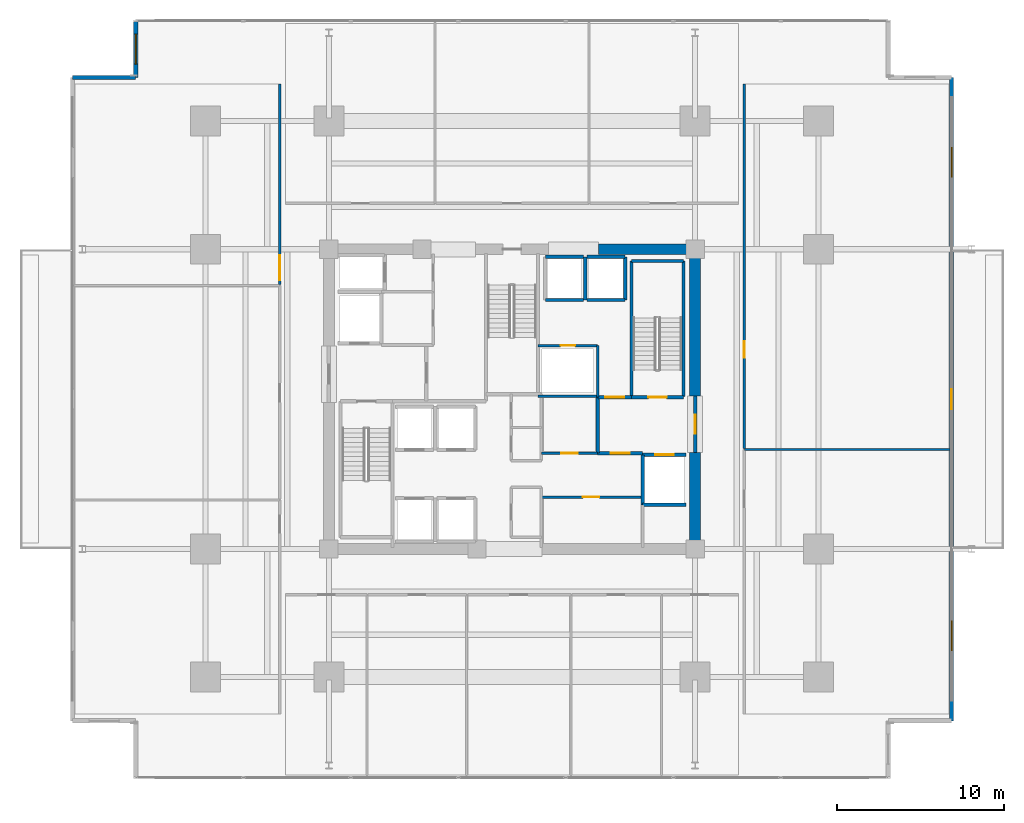
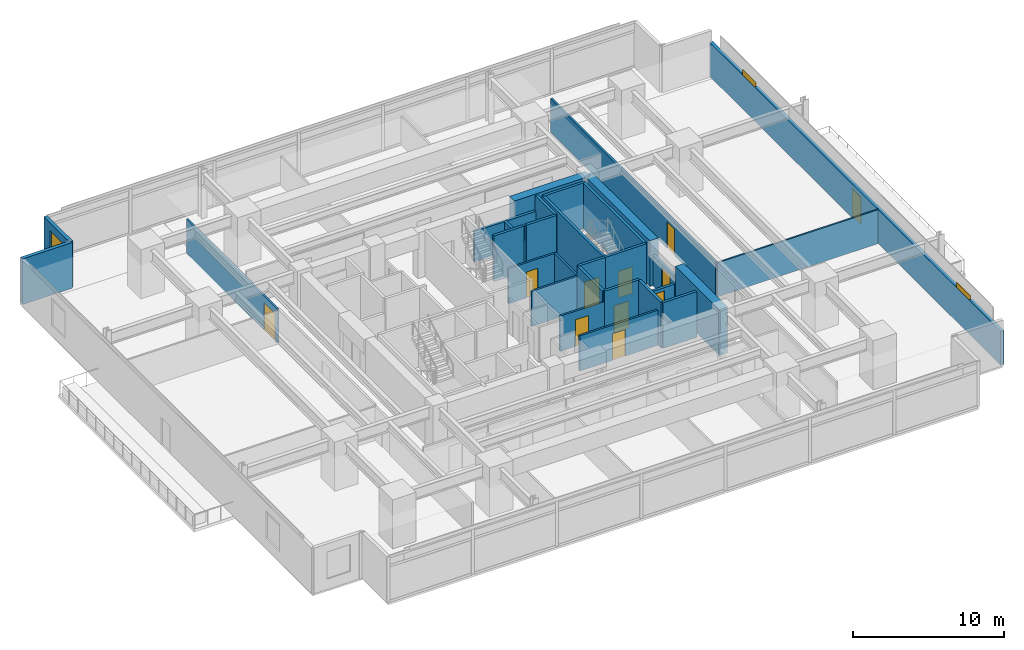
# One storey, part 18 of 23: 31 walls, 11 doors, 3 windows, 14 openings.
"""IFC4 building model written with IfcOpenShell, lengths in metres."""

import ifcopenshell
import ifcopenshell.guid

model = None  # the IFC model being written
_history = None  # IfcOwnerHistory: only IFC2X3 demands one
_inside = {}  # id of a spatial element -> (the spatial element, [elements in it])
_under = {}  # id of a project, library or spatial element -> (it, [spatial elements below it])
_declared = {}  # id of a project -> (the project, [libraries it declares])
_typed = {}  # id of a type object -> (the type object, [elements of that type])
_made_of = {}  # id of a material, layer set ... -> (it, [elements and type objects made of it])


def new_model(schema):
    """Start an empty IFC model of exactly this schema.

    Asked for "IFC4X3", IfcOpenShell would pick the latest addendum, in which some entities
    have other attributes; the version numbers below select the first issue.
    IFC2X3 requires an IfcOwnerHistory on every rooted entity: one is made here for all.
    """
    global model, _history
    if schema == "IFC4X3":
        model = ifcopenshell.file(schema_version=(4, 3, 0, 0))
    else:
        model = ifcopenshell.file(schema=schema)
    _inside.clear()
    _under.clear()
    _declared.clear()
    _typed.clear()
    _made_of.clear()
    _history = None
    if model.schema == "IFC2X3":
        org = make("IfcOrganization", Name="unknown")
        user = make(
            "IfcPersonAndOrganization",
            ThePerson=make("IfcPerson", FamilyName="unknown"),
            TheOrganization=org,
        )
        app = make(
            "IfcApplication",
            ApplicationDeveloper=org,
            Version="unknown",
            ApplicationFullName="unknown",
            ApplicationIdentifier="unknown",
        )
        _history = make(
            "IfcOwnerHistory",
            OwningUser=user,
            OwningApplication=app,
            ChangeAction="ADDED",
            CreationDate=0,
        )
    return model


def make(cls, **values):
    """One entity of the class cls with the attributes given. An attribute that is None is left unset."""
    return model.create_entity(
        cls, **{name: value for name, value in values.items() if value is not None}
    )


def rooted(cls, **values):
    """An entity with a GlobalId (a new one), such as an element, a storey or a relation."""
    return make(cls, GlobalId=ifcopenshell.guid.new(), OwnerHistory=_history, **values)


def si_unit(unit_type, name, prefix=None):
    """IfcSIUnit, for example si_unit("LENGTHUNIT", "METRE", prefix="MILLI")."""
    return make("IfcSIUnit", UnitType=unit_type, Prefix=prefix, Name=name)


def assignment(units):
    """IfcUnitAssignment: the units of a project."""
    return None if units is None else make("IfcUnitAssignment", Units=units)


def point(xyz):
    """IfcCartesianPoint."""
    return None if xyz is None else make("IfcCartesianPoint", Coordinates=xyz)


def direction(xyz):
    """IfcDirection."""
    return None if xyz is None else make("IfcDirection", DirectionRatios=xyz)


def frame(location, z_axis=None, x_axis=None):
    """IfcAxis2Placement3D, a coordinate frame: its origin and axes. An axis left out is left unset."""
    return make(
        "IfcAxis2Placement3D",
        Location=point(location),
        Axis=direction(z_axis),
        RefDirection=direction(x_axis),
    )


def frame_2d(location, x_axis=None):
    """IfcAxis2Placement2D, a coordinate frame in the plane: its origin and x axis."""
    return make(
        "IfcAxis2Placement2D", Location=point(location), RefDirection=direction(x_axis)
    )


def origin():
    """The frame at (0, 0, 0) with its axes left unset."""
    return frame((0.0, 0.0, 0.0))


def place(relative_to, where):
    """IfcLocalPlacement: puts the frame where relative to a parent placement (None: the world)."""
    return make(
        "IfcLocalPlacement", PlacementRelTo=relative_to, RelativePlacement=where
    )


def context(
    kind, dimensions, precision=None, world=None, true_north=None, identifier=None
):
    """IfcGeometricRepresentationContext, for example the 3D "Model" context."""
    return make(
        "IfcGeometricRepresentationContext",
        ContextIdentifier=identifier,
        ContextType=kind,
        CoordinateSpaceDimension=dimensions,
        Precision=precision,
        WorldCoordinateSystem=world,
        TrueNorth=true_north,
    )


def subcontext(parent, identifier, kind, view, scale=None):
    """IfcGeometricRepresentationSubContext, for example "Body" below "Model"."""
    return make(
        "IfcGeometricRepresentationSubContext",
        ContextIdentifier=identifier,
        ContextType=kind,
        ParentContext=parent,
        TargetScale=scale,
        TargetView=view,
    )


def project(units=None, contexts=None):
    """IfcProject with its units and contexts."""
    return rooted(
        "IfcProject",
        Name="project",
        RepresentationContexts=contexts,
        UnitsInContext=assignment(units),
    )


def spatial(cls, under=None, at=None, **own):
    """A site, building, storey or space (cls), placed at a placement, below another one or the project."""
    s = rooted(cls, ObjectPlacement=at, **own)
    if under is not None:
        _under.setdefault(under.id(), (under, []))[1].append(s)
    return s


def profile(cls, at=None, kind="AREA", **sizes):
    """A parametric profile (cls). Its sizes go by their IFC names, for example OverallWidth=200.0."""
    return make(cls, ProfileType=kind, Position=at, **sizes)


def rectangle(**sizes):
    """IfcRectangleProfileDef."""
    return profile("IfcRectangleProfileDef", **sizes)


def extrude(swept, where, along, depth):
    """IfcExtrudedAreaSolid: the profile swept, set in the frame where, extruded along a direction by depth."""
    return make(
        "IfcExtrudedAreaSolid",
        SweptArea=swept,
        Position=where,
        ExtrudedDirection=direction(along),
        Depth=depth,
    )


def shape(context_of_items, identifier, shape_type, items):
    """IfcShapeRepresentation: the items that make up one representation, for example the "Body"."""
    return make(
        "IfcShapeRepresentation",
        ContextOfItems=context_of_items,
        RepresentationIdentifier=identifier,
        RepresentationType=shape_type,
        Items=items,
    )


def material(Name=None, Category=None):
    """IfcMaterial."""
    return make("IfcMaterial", Name=Name, Category=Category)


def layer(
    of_material, thickness, ventilated=None, Name=None, Category=None, Priority=None
):
    """IfcMaterialLayer: one layer of a wall or slab, of a material (None: an air gap)."""
    return make(
        "IfcMaterialLayer",
        Material=of_material,
        LayerThickness=thickness,
        IsVentilated=ventilated,
        Name=Name,
        Category=Category,
        Priority=Priority,
    )


def layer_set(layers, Name=None):
    """IfcMaterialLayerSet."""
    return make("IfcMaterialLayerSet", MaterialLayers=layers, LayerSetName=Name)


def made_of(thing, what):
    """Note that an element or type object is made of a material, layer set ...; save() writes the relation."""
    if what is not None:
        _made_of.setdefault(what.id(), (what, []))[1].append(thing)
    return thing


def type_object(cls, material=None, **own):
    """A type object (cls), such as IfcWallType, which elements share."""
    return made_of(rooted(cls, **own), material)


def element(
    cls,
    number,
    at=None,
    inside=None,
    cuts=None,
    type_object=None,
    material=None,
    context=None,
    identifier="Body",
    shape_type=None,
    held_by="IfcProductDefinitionShape",
    body=None,
    shapes=None,
    **own,
):
    """One element of the class cls, such as IfcWall. Its Tag is "e" and its number.

    at: its placement. inside: the storey or other place that contains it. cuts: it is an
    opening in that element (IfcRelVoidsElement). A single representation is given by context,
    identifier, shape_type and body (its items); several are given by shapes. held_by: the class
    of the entity that holds the representations. save() writes the other relations.
    """
    e = rooted(cls, Tag="e%d" % number, ObjectPlacement=at, **own)
    if body is not None:
        shapes = [shape(context, identifier, shape_type, body)]
    if shapes is not None:
        e.Representation = make(held_by, Representations=shapes)
    if inside is not None:
        _inside.setdefault(inside.id(), (inside, []))[1].append(e)
    if cuts is not None:
        rooted(
            "IfcRelVoidsElement", RelatingBuildingElement=cuts, RelatedOpeningElement=e
        )
    if type_object is not None:
        _typed.setdefault(type_object.id(), (type_object, []))[1].append(e)
    return made_of(e, material)


def fill(opening, filler):
    """IfcRelFillsElement: the door or window that sits in an opening."""
    return rooted(
        "IfcRelFillsElement",
        RelatingOpeningElement=opening,
        RelatedBuildingElement=filler,
    )


def aggregate(whole, parts):
    """IfcRelAggregates: a whole, such as a stair, and the parts it consists of."""
    return rooted("IfcRelAggregates", RelatingObject=whole, RelatedObjects=parts)


def save(model, path):
    """Write the relations noted so far, then the file.

    IfcRelAggregates (storeys below a building ...), IfcRelContainedInSpatialStructure (elements
    in a storey), IfcRelDefinesByType, IfcRelAssociatesMaterial and IfcRelDeclares: one each for
    every whole, place, type object, material and project.
    """
    for whole, parts in _under.values():
        aggregate(whole, parts)
    for where, things in _inside.values():
        rooted(
            "IfcRelContainedInSpatialStructure",
            RelatedElements=things,
            RelatingStructure=where,
        )
    for kind, things in _typed.values():
        rooted("IfcRelDefinesByType", RelatedObjects=things, RelatingType=kind)
    for what, things in _made_of.values():
        rooted("IfcRelAssociatesMaterial", RelatedObjects=things, RelatingMaterial=what)
    for by, libraries in _declared.values():
        rooted("IfcRelDeclares", RelatingContext=by, RelatedDefinitions=libraries)
    model.write(path)


model = new_model("IFC4")

# Units and contexts
model_context = context("Model", 3, precision=1e-05, world=origin(), true_north=direction((0.0, 1.0)))
body_context = subcontext(model_context, "Body", "Model", "MODEL_VIEW")
ifc_project = project(units=[si_unit("LENGTHUNIT", "METRE"), si_unit("AREAUNIT", "SQUARE_METRE"), si_unit("VOLUMEUNIT", "CUBIC_METRE"), si_unit("PLANEANGLEUNIT", "RADIAN"), si_unit("MASSUNIT", "GRAM", prefix="KILO")], contexts=[model_context])

# Site, building, storey
site_placement = place(None, origin())
site = spatial("IfcSite", under=ifc_project, at=site_placement, CompositionType="ELEMENT")
building_placement = place(site_placement, origin())
building = spatial("IfcBuilding", under=site, at=building_placement, Name="Kovane Verandah Tower", CompositionType="ELEMENT")
storey_placement = place(building_placement, frame((0.0, 0.0, 103.60009765625)))
storey = spatial("IfcBuildingStorey", under=building, at=storey_placement, Name="L24", CompositionType="ELEMENT", Elevation=103.60009765625)

# Wall
ifc_material_1 = material(Name="Fire-Rated Gypsum Stud Partition", Category="gypsum")
ifc_layer_1 = layer(ifc_material_1, 0.14990234375)
ifc_layer_set_1 = layer_set([ifc_layer_1], Name="Fire-Rated Gypsum Stud Partition")
wall_type_1 = type_object("IfcWallType", Name="WL-COR-150", PredefinedType="PARTITIONING", material=ifc_layer_set_1)
wall_1_placement = place(storey_placement, frame((41.56005859375, 27.679931640625, 0.0), z_axis=(0.0, 0.0, 1.0), x_axis=(1.0, 0.0, 0.0)))
element("IfcWall", 1, at=wall_1_placement, inside=storey, type_object=wall_type_1, Name="L24 East Core Service Riser South Wall", PredefinedType="PARTITIONING", context=body_context, shape_type="SweptSolid", body=[
    extrude(rectangle(XDim=3.58984375, YDim=0.14990234375, at=frame_2d((1.794921875, 0.0))), origin(), (0.0, 0.0, 1.0), 2.849853515625),
])

# Wall, opening, door
wall_2_placement = place(storey_placement, frame((41.760009765625, 21.6201171875, 0.0), z_axis=(0.0, 0.0, 1.0), x_axis=(1.0, 0.0, 0.0)))
wall_2 = element("IfcWall", 2, at=wall_2_placement, inside=storey, type_object=wall_type_1, Name="L24 Records Vault Room Partition", PredefinedType="PARTITIONING", context=body_context, shape_type="SweptSolid", body=[
    extrude(rectangle(XDim=5.97998046875, YDim=0.14990234375, at=frame_2d((2.989990234375, 0.0))), origin(), (0.0, 0.0, 1.0), 2.849853515625),
])
opening_1_placement = place(wall_2_placement, frame((2.489990234375, 0.0, 0.0)))
opening_1 = element("IfcOpeningElement", 3, at=opening_1_placement, cuts=wall_2, Name="Opening DR-L24-014", PredefinedType="OPENING", context=body_context, shape_type="SweptSolid", body=[
    extrude(rectangle(XDim=1.0, YDim=2.14990234375, at=frame_2d((0.5, 1.074951171875))), frame((0.0, 0.074951171875, 0.0), z_axis=(0.0, -1.0, 0.0), x_axis=(1.0, 0.0, 0.0)), (0.0, 0.0, 1.0), 0.14990234375),
])
ifc_material_2 = material(Name="FSC Spotted-Gum Timber Fire-Rated Office Door", Category="wood")
door_type_1 = type_object("IfcDoorType", Name="DR-OFF-1000", OperationType="SINGLE_SWING_LEFT", PredefinedType="DOOR", material=ifc_material_2)
door_1_placement = place(opening_1_placement, origin())
door_1 = element("IfcDoor", 4, at=door_1_placement, inside=storey, type_object=door_type_1, Name="L24 Records Vault Room Door", OperationType="SINGLE_SWING_RIGHT", OverallHeight=2.14990234375, OverallWidth=1.0, PredefinedType="DOOR", context=body_context, shape_type="SweptSolid", body=[
    extrude(rectangle(XDim=1.0, YDim=2.14990234375, at=frame_2d((0.5, 1.074951171875))), frame((0.0, 0.02490234375, 0.0), z_axis=(0.0, -1.0, 0.0), x_axis=(1.0, 0.0, 0.0)), (0.0, 0.0, 1.0), 0.050048828125),
])
fill(opening_1, door_1)

wall_3_placement = place(storey_placement, frame((41.760009765625, 24.25, 0.0), z_axis=(0.0, 0.0, 1.0), x_axis=(1.0, 0.0, 0.0)))
wall_3 = element("IfcWall", 5, at=wall_3_placement, inside=storey, type_object=wall_type_1, Name="L24 Document Archive Room Partition", PredefinedType="PARTITIONING", context=body_context, shape_type="SweptSolid", body=[
    extrude(rectangle(XDim=3.389892578125, YDim=0.14990234375, at=frame_2d((1.69482421875, 0.0))), origin(), (0.0, 0.0, 1.0), 2.849853515625),
])
opening_2_placement = place(wall_3_placement, frame((1.195068359375, 0.0, 0.0)))
opening_2 = element("IfcOpeningElement", 6, at=opening_2_placement, cuts=wall_3, Name="Opening DR-L24-015", PredefinedType="OPENING", context=body_context, shape_type="SweptSolid", body=[
    extrude(rectangle(XDim=1.0, YDim=2.14990234375, at=frame_2d((0.5, 1.074951171875))), frame((0.0, 0.074951171875, 0.0), z_axis=(0.0, -1.0, 0.0), x_axis=(1.0, 0.0, 0.0)), (0.0, 0.0, 1.0), 0.14990234375),
])
door_2_placement = place(opening_2_placement, origin())
door_2 = element("IfcDoor", 7, at=door_2_placement, inside=storey, type_object=door_type_1, Name="L24 Document Archive Room Door", OperationType="SINGLE_SWING_LEFT", OverallHeight=2.14990234375, OverallWidth=1.0, PredefinedType="DOOR", context=body_context, shape_type="SweptSolid", body=[
    extrude(rectangle(XDim=1.0, YDim=2.14990234375, at=frame_2d((0.5, 1.074951171875))), frame((0.0, 0.02490234375, 0.0), z_axis=(0.0, -1.0, 0.0), x_axis=(1.0, 0.0, 0.0)), (0.0, 0.0, 1.0), 0.050048828125),
])
fill(opening_2, door_2)

# Wall
wall_4_placement = place(storey_placement, frame((45.14990234375, 27.6201171875, 0.0), z_axis=(0.0, 0.0, 1.0), x_axis=(0.0, 1.0, 0.0)))
element("IfcWall", 8, at=wall_4_placement, inside=storey, type_object=wall_type_1, Name="L24 East Core Service Riser East Wall", PredefinedType="PARTITIONING", context=body_context, shape_type="SweptSolid", body=[
    extrude(rectangle(XDim=3.099853515625, YDim=0.14990234375, at=frame_2d((1.5498046875, 0.0))), origin(), (0.0, 0.0, 1.0), 2.849853515625),
])

# Wall, opening, door
wall_5_placement = place(storey_placement, frame((41.56005859375, 30.719970703125, 0.0), z_axis=(0.0, 0.0, 1.0), x_axis=(1.0, 0.0, 0.0)))
wall_5 = element("IfcWall", 9, at=wall_5_placement, inside=storey, type_object=wall_type_1, Name="L24 Combined Chilled Water and Smoke Duct Room Partition", PredefinedType="PARTITIONING", context=body_context, shape_type="SweptSolid", body=[
    extrude(rectangle(XDim=3.58984375, YDim=0.14990234375, at=frame_2d((1.794921875, 0.0))), origin(), (0.0, 0.0, 1.0), 2.849853515625),
])
opening_3_placement = place(wall_5_placement, frame((1.35498046875, 0.0, 0.0)))
opening_3 = element("IfcOpeningElement", 10, at=opening_3_placement, cuts=wall_5, Name="Opening DR-L24-016", PredefinedType="OPENING", context=body_context, shape_type="SweptSolid", body=[
    extrude(rectangle(XDim=0.8798828125, YDim=2.10009765625, at=frame_2d((0.43994140625, 1.050048828125))), frame((0.0, 0.074951171875, 0.0), z_axis=(0.0, -1.0, 0.0), x_axis=(1.0, 0.0, 0.0)), (0.0, 0.0, 1.0), 0.14990234375),
])
ifc_material_3 = material(Name="Fire-Rated Steel Riser Access Door", Category="steel")
door_type_2 = type_object("IfcDoorType", Name="DR-RISER-880", OperationType="SINGLE_SWING_LEFT", PredefinedType="DOOR", material=ifc_material_3)
door_3_placement = place(opening_3_placement, origin())
door_3 = element("IfcDoor", 11, at=door_3_placement, inside=storey, type_object=door_type_2, Name="L24 Combined Chilled Water and Smoke Duct Room Door", OperationType="SINGLE_SWING_RIGHT", OverallHeight=2.10009765625, OverallWidth=0.8798828125, PredefinedType="DOOR", context=body_context, shape_type="SweptSolid", body=[
    extrude(rectangle(XDim=0.8798828125, YDim=2.10009765625, at=frame_2d((0.43994140625, 1.050048828125))), frame((0.0, 0.02490234375, 0.0), z_axis=(0.0, -1.0, 0.0), x_axis=(1.0, 0.0, 0.0)), (0.0, 0.0, 1.0), 0.050048828125),
])
fill(opening_3, door_3)

wall_6_placement = place(storey_placement, frame((26.050048828125, 34.380859375, 0.0), z_axis=(0.0, 0.0, 1.0), x_axis=(0.0, 1.0, 0.0)))
wall_6 = element("IfcWall", 12, at=wall_6_placement, inside=storey, type_object=wall_type_1, Name="L24 Client Boardroom W3 Corridor Partition", PredefinedType="PARTITIONING", context=body_context, shape_type="SweptSolid", body=[
    extrude(rectangle(XDim=12.0380859375, YDim=0.14990234375, at=frame_2d((6.01904296875, 0.0))), origin(), (0.0, 0.0, 1.0), 2.75341796875),
])
opening_4_placement = place(wall_6_placement, frame((0.259521484375, 0.0, 0.0)))
opening_4 = element("IfcOpeningElement", 13, at=opening_4_placement, cuts=wall_6, Name="Opening DR-L24-031", PredefinedType="OPENING", context=body_context, shape_type="SweptSolid", body=[
    extrude(rectangle(XDim=1.5, YDim=2.25, at=frame_2d((0.75, 1.125))), frame((0.0, 0.074951171875, 0.0), z_axis=(0.0, -1.0, 0.0), x_axis=(1.0, 0.0, 0.0)), (0.0, 0.0, 1.0), 0.14990234375),
])
ifc_material_4 = material(Name="Glazed Timber Fire-Rated Double Door", Category="wood")
door_type_3 = type_object("IfcDoorType", Name="DR-CONF-1500", OperationType="DOUBLE_DOOR_SINGLE_SWING", PredefinedType="DOOR", material=ifc_material_4)
door_4_placement = place(opening_4_placement, origin())
door_4 = element("IfcDoor", 14, at=door_4_placement, inside=storey, type_object=door_type_3, Name="L24 Client Boardroom W3 Entrance Door", OperationType="DOUBLE_DOOR_SINGLE_SWING", OverallHeight=2.25, OverallWidth=1.5, PredefinedType="DOOR", context=body_context, shape_type="SweptSolid", body=[
    extrude(rectangle(XDim=1.5, YDim=2.25, at=frame_2d((0.75, 1.125))), frame((0.0, 0.02490234375, 0.0), z_axis=(0.0, -1.0, 0.0), x_axis=(1.0, 0.0, 0.0)), (0.0, 0.0, 1.0), 0.050048828125),
])
fill(opening_4, door_4)

wall_7_placement = place(storey_placement, frame((53.949951171875, 24.54296875, 0.0), z_axis=(0.0, 0.0, 1.0), x_axis=(0.0, 1.0, 0.0)))
wall_7 = element("IfcWall", 15, at=wall_7_placement, inside=storey, type_object=wall_type_1, Name="L24 Focus Studio E2 Corridor Partition", PredefinedType="PARTITIONING", context=body_context, shape_type="SweptSolid", body=[
    extrude(rectangle(XDim=21.8759765625, YDim=0.14990234375, at=frame_2d((10.93798828125, 0.0))), origin(), (0.0, 0.0, 1.0), 2.75341796875),
])
opening_5_placement = place(wall_7_placement, frame((5.428466796875, 0.0, 0.0)))
opening_5 = element("IfcOpeningElement", 16, at=opening_5_placement, cuts=wall_7, Name="Opening DR-L24-013", PredefinedType="OPENING", context=body_context, shape_type="SweptSolid", body=[
    extrude(rectangle(XDim=1.0, YDim=2.14990234375, at=frame_2d((0.5, 1.074951171875))), frame((0.0, 0.074951171875, 0.0), z_axis=(0.0, -1.0, 0.0), x_axis=(1.0, 0.0, 0.0)), (0.0, 0.0, 1.0), 0.14990234375),
])
door_5_placement = place(opening_5_placement, origin())
door_5 = element("IfcDoor", 17, at=door_5_placement, inside=storey, type_object=door_type_1, Name="L24 Focus Studio E2 Entrance Door", OperationType="SINGLE_SWING_LEFT", OverallHeight=2.14990234375, OverallWidth=1.0, PredefinedType="DOOR", context=body_context, shape_type="SweptSolid", body=[
    extrude(rectangle(XDim=1.0, YDim=2.14990234375, at=frame_2d((0.5, 1.074951171875))), frame((0.0, 0.02490234375, 0.0), z_axis=(0.0, -1.0, 0.0), x_axis=(1.0, 0.0, 0.0)), (0.0, 0.0, 1.0), 0.050048828125),
])
fill(opening_5, door_5)

# Walls
ifc_material_5 = material(Name="Concrete C80/95", Category="concrete")
ifc_layer_2 = layer(ifc_material_5, 0.64990234375)
ifc_layer_set_2 = layer_set([ifc_layer_2], Name="Concrete C80/95")
wall_type_2 = type_object("IfcWallType", Name="WL-CORE-650", PredefinedType="SHEAR", material=ifc_layer_set_2)
for number, where, z_axis, x_axis, name in (
    (18, (45.199951171875, 36.5, 0.0), (0.0, 0.0, 1.0), (1.0, 0.0, 0.0), "L24 Core Shear Wall CN-3"),
    (19, (51.0, 18.5, 0.0), (0.0, 0.0, 1.0), (0.0, 1.0, 0.0), "L24 Core Shear Wall CE-1"),
):
    element("IfcWall", number, at=place(storey_placement, frame(where, z_axis=z_axis, x_axis=x_axis)), inside=storey, type_object=wall_type_2, Name=name, PredefinedType="SHEAR", context=body_context, shape_type="SweptSolid", body=[
        extrude(rectangle(XDim=5.800048828125, YDim=0.64990234375, at=frame_2d((2.89990234375, 0.0))), origin(), (0.0, 0.0, 1.0), 3.699951171875),
    ])
wall_8_placement = place(storey_placement, frame((51.0, 27.699951171875, 0.0), z_axis=(0.0, 0.0, 1.0), x_axis=(0.0, 1.0, 0.0)))
element("IfcWall", 20, at=wall_8_placement, inside=storey, type_object=wall_type_2, Name="L24 Core Shear Wall CE-2", PredefinedType="SHEAR", context=body_context, shape_type="SweptSolid", body=[
    extrude(rectangle(XDim=8.800048828125, YDim=0.64990234375, at=frame_2d((4.39990234375, 0.0))), origin(), (0.0, 0.0, 1.0), 3.699951171875),
])
ifc_material_6 = material(Name="Concrete C45/55 Fire Wall", Category="concrete")
ifc_layer_3 = layer(ifc_material_6, 0.199951171875)
ifc_layer_set_3 = layer_set([ifc_layer_3], Name="Concrete C45/55 Fire Wall")
wall_type_3 = type_object("IfcWallType", Name="WL-FFL-200", PredefinedType="PARTITIONING", material=ifc_layer_set_3)
wall_9_placement = place(storey_placement, frame((45.14990234375, 24.25, 0.0), z_axis=(0.0, 0.0, 1.0), x_axis=(0.0, 1.0, 0.0)))
element("IfcWall", 21, at=wall_9_placement, inside=storey, type_object=wall_type_3, Name="L24 East Firefighting Lobby West Fire Wall", PredefinedType="PARTITIONING", context=body_context, shape_type="SweptSolid", body=[
    extrude(rectangle(XDim=3.3701171875, YDim=0.199951171875, at=frame_2d((1.68505859375, 0.0))), origin(), (0.0, 0.0, 1.0), 3.699951171875),
])

# Wall, opening, door
wall_10_placement = place(storey_placement, frame((45.14990234375, 24.25, 0.0), z_axis=(0.0, 0.0, 1.0), x_axis=(1.0, 0.0, 0.0)))
wall_10 = element("IfcWall", 22, at=wall_10_placement, inside=storey, type_object=wall_type_3, Name="W-L24-FFLE-S", PredefinedType="PARTITIONING", context=body_context, shape_type="SweptSolid", body=[
    extrude(rectangle(XDim=2.7001953125, YDim=0.199951171875, at=frame_2d((1.35009765625, 0.0))), origin(), (0.0, 0.0, 1.0), 3.699951171875),
])
opening_6_placement = place(wall_10_placement, frame((0.77490234375, 0.0, 0.0)))
opening_6 = element("IfcOpeningElement", 23, at=opening_6_placement, cuts=wall_10, Name="Opening DR-L24-003", PredefinedType="OPENING", context=body_context, shape_type="SweptSolid", body=[
    extrude(rectangle(XDim=1.14990234375, YDim=2.199951171875, at=frame_2d((0.574951171875, 1.10009765625))), frame((0.0, 0.10009765625, 0.0), z_axis=(0.0, -1.0, 0.0), x_axis=(1.0, 0.0, 0.0)), (0.0, 0.0, 1.0), 0.199951171875),
])
ifc_material_7 = material(Name="Smoke-Sealed Firefighting Lobby Door", Category="steel")
door_type_4 = type_object("IfcDoorType", Name="DR-FFL-1150", OperationType="SINGLE_SWING_LEFT", PredefinedType="DOOR", material=ifc_material_7)
door_6_placement = place(opening_6_placement, origin())
door_6 = element("IfcDoor", 24, at=door_6_placement, inside=storey, type_object=door_type_4, Name="L24 East Firefighting Lobby Inner Door", OperationType="SINGLE_SWING_RIGHT", OverallHeight=2.199951171875, OverallWidth=1.14990234375, PredefinedType="DOOR", context=body_context, shape_type="SweptSolid", body=[
    extrude(rectangle(XDim=1.14990234375, YDim=2.199951171875, at=frame_2d((0.574951171875, 1.10009765625))), frame((0.0, 0.02490234375, 0.0), z_axis=(0.0, -1.0, 0.0), x_axis=(1.0, 0.0, 0.0)), (0.0, 0.0, 1.0), 0.050048828125),
])
fill(opening_6, door_6)

wall_11_placement = place(storey_placement, frame((45.14990234375, 27.6201171875, 0.0), z_axis=(0.0, 0.0, 1.0), x_axis=(1.0, 0.0, 0.0)))
wall_11 = element("IfcWall", 25, at=wall_11_placement, inside=storey, type_object=wall_type_3, Name="W-L24-FFLE-N", PredefinedType="PARTITIONING", context=body_context, shape_type="SweptSolid", body=[
    extrude(rectangle(XDim=2.030029296875, YDim=0.199951171875, at=frame_2d((1.01513671875, 0.0))), origin(), (0.0, 0.0, 1.0), 3.699951171875),
])
opening_7_placement = place(wall_11_placement, frame((0.43994140625, 0.0, 0.0)))
opening_7 = element("IfcOpeningElement", 26, at=opening_7_placement, cuts=wall_11, Name="Opening DR-L24-004", PredefinedType="OPENING", context=body_context, shape_type="SweptSolid", body=[
    extrude(rectangle(XDim=1.14990234375, YDim=2.199951171875, at=frame_2d((0.574951171875, 1.10009765625))), frame((0.0, 0.10009765625, 0.0), z_axis=(0.0, -1.0, 0.0), x_axis=(1.0, 0.0, 0.0)), (0.0, 0.0, 1.0), 0.199951171875),
])
door_7_placement = place(opening_7_placement, origin())
door_7 = element("IfcDoor", 27, at=door_7_placement, inside=storey, type_object=door_type_4, Name="L24 East Firefighting Lobby Shuttle Link Door", OperationType="SINGLE_SWING_LEFT", OverallHeight=2.199951171875, OverallWidth=1.14990234375, PredefinedType="DOOR", context=body_context, shape_type="SweptSolid", body=[
    extrude(rectangle(XDim=1.14990234375, YDim=2.199951171875, at=frame_2d((0.574951171875, 1.10009765625))), frame((0.0, 0.02490234375, 0.0), z_axis=(0.0, -1.0, 0.0), x_axis=(1.0, 0.0, 0.0)), (0.0, 0.0, 1.0), 0.050048828125),
])
fill(opening_7, door_7)

wall_12_placement = place(storey_placement, frame((51.0, 24.300048828125, 0.0), z_axis=(0.0, 0.0, 1.0), x_axis=(0.0, 1.0, 0.0)))
wall_12 = element("IfcWall", 28, at=wall_12_placement, inside=storey, type_object=wall_type_3, Name="W-L24-FFLE-OUT", PredefinedType="PARTITIONING", context=body_context, shape_type="SweptSolid", body=[
    extrude(rectangle(XDim=3.39990234375, YDim=0.199951171875, at=frame_2d((1.699951171875, 0.0))), origin(), (0.0, 0.0, 1.0), 2.47998046875),
])
opening_8_placement = place(wall_12_placement, frame((1.125, 0.0, 0.0)))
opening_8 = element("IfcOpeningElement", 29, at=opening_8_placement, cuts=wall_12, Name="Opening DR-L24-005", PredefinedType="OPENING", context=body_context, shape_type="SweptSolid", body=[
    extrude(rectangle(XDim=1.14990234375, YDim=2.199951171875, at=frame_2d((0.574951171875, 1.10009765625))), frame((0.0, 0.10009765625, 0.0), z_axis=(0.0, -1.0, 0.0), x_axis=(1.0, 0.0, 0.0)), (0.0, 0.0, 1.0), 0.199951171875),
])
door_8_placement = place(opening_8_placement, origin())
door_8 = element("IfcDoor", 30, at=door_8_placement, inside=storey, type_object=door_type_4, Name="L24 East Firefighting Lobby Corridor Door", OperationType="SINGLE_SWING_LEFT", OverallHeight=2.199951171875, OverallWidth=1.14990234375, PredefinedType="DOOR", context=body_context, shape_type="SweptSolid", body=[
    extrude(rectangle(XDim=1.14990234375, YDim=2.199951171875, at=frame_2d((0.574951171875, 1.10009765625))), frame((0.0, 0.02490234375, 0.0), z_axis=(0.0, -1.0, 0.0), x_axis=(1.0, 0.0, 0.0)), (0.0, 0.0, 1.0), 0.050048828125),
])
fill(opening_8, door_8)

# Wall
ifc_material_8 = material(Name="Concrete C45/55 Lift Shaft Wall", Category="concrete")
ifc_layer_4 = layer(ifc_material_8, 0.199951171875)
ifc_layer_set_4 = layer_set([ifc_layer_4], Name="Concrete C45/55 Lift Shaft Wall")
wall_type_4 = type_object("IfcWallType", Name="WL-LIFT-200", PredefinedType="SOLIDWALL", material=ifc_layer_set_4)
wall_13_placement = place(storey_placement, frame((47.85009765625, 21.14990234375, 0.0), z_axis=(0.0, 0.0, 1.0), x_axis=(1.0, 0.0, 0.0)))
element("IfcWall", 31, at=wall_13_placement, inside=storey, type_object=wall_type_4, Name="L24 Lift FL-02 S Shaft Wall", PredefinedType="SOLIDWALL", context=body_context, shape_type="SweptSolid", body=[
    extrude(rectangle(XDim=2.599853515625, YDim=0.199951171875, at=frame_2d((1.2998046875, 0.0))), origin(), (0.0, 0.0, 1.0), 3.699951171875),
])

# Wall, opening, door
wall_14_placement = place(storey_placement, frame((50.449951171875, 24.14990234375, 0.0), z_axis=(0.0, 0.0, 1.0), x_axis=(-1.0, 0.0, 0.0)))
wall_14 = element("IfcWall", 32, at=wall_14_placement, inside=storey, type_object=wall_type_4, Name="L24 Lift FL-02 N Shaft Wall", PredefinedType="SOLIDWALL", context=body_context, shape_type="SweptSolid", body=[
    extrude(rectangle(XDim=2.599853515625, YDim=0.199951171875, at=frame_2d((1.2998046875, 0.0))), origin(), (0.0, 0.0, 1.0), 2.47998046875),
])
opening_9_placement = place(wall_14_placement, frame((0.75, 0.0, 0.0)))
opening_9 = element("IfcOpeningElement", 33, at=opening_9_placement, cuts=wall_14, Name="Opening LD-L24-002", PredefinedType="OPENING", context=body_context, shape_type="SweptSolid", body=[
    extrude(rectangle(XDim=1.10009765625, YDim=2.199951171875, at=frame_2d((0.550048828125, 1.10009765625))), frame((0.0, 0.10009765625, 0.0), z_axis=(0.0, -1.0, 0.0), x_axis=(1.0, 0.0, 0.0)), (0.0, 0.0, 1.0), 0.199951171875),
])
ifc_material_9 = material(Name="Brushed Stainless Steel Sliding Lift Landing Door", Category="steel")
door_type_5 = type_object("IfcDoorType", Name="DR-LIFT-1100", OperationType="SLIDING_TO_RIGHT", PredefinedType="DOOR", material=ifc_material_9)
door_9_placement = place(opening_9_placement, origin())
door_9 = element("IfcDoor", 34, at=door_9_placement, inside=storey, type_object=door_type_5, Name="L24 Lift FL-02 Sliding Landing Door", OperationType="SLIDING_TO_RIGHT", OverallHeight=2.199951171875, OverallWidth=1.10009765625, PredefinedType="DOOR", context=body_context, shape_type="SweptSolid", body=[
    extrude(rectangle(XDim=1.10009765625, YDim=2.199951171875, at=frame_2d((0.550048828125, 1.10009765625))), frame((0.0, 0.02490234375, 0.0), z_axis=(0.0, -1.0, 0.0), x_axis=(1.0, 0.0, 0.0)), (0.0, 0.0, 1.0), 0.050048828125),
])
fill(opening_9, door_9)

# Walls
wall_15_placement = place(storey_placement, frame((47.85009765625, 24.14990234375, 0.0), z_axis=(0.0, 0.0, 1.0), x_axis=(0.0, -1.0, 0.0)))
element("IfcWall", 35, at=wall_15_placement, inside=storey, type_object=wall_type_4, Name="L24 Lift FL-02 W Shaft Wall", PredefinedType="SOLIDWALL", context=body_context, shape_type="SweptSolid", body=[
    extrude(rectangle(XDim=3.0, YDim=0.199951171875, at=frame_2d((1.5, 0.0))), origin(), (0.0, 0.0, 1.0), 3.699951171875),
])
wall_16_placement = place(storey_placement, frame((42.0, 33.449951171875, 0.0), z_axis=(0.0, 0.0, 1.0), x_axis=(1.0, 0.0, 0.0)))
element("IfcWall", 36, at=wall_16_placement, inside=storey, type_object=wall_type_4, Name="L24 Lift SL-01 S Shaft Wall", PredefinedType="SOLIDWALL", context=body_context, shape_type="SweptSolid", body=[
    extrude(rectangle(XDim=2.300048828125, YDim=0.199951171875, at=frame_2d((1.14990234375, 0.0))), origin(), (0.0, 0.0, 1.0), 3.699951171875),
])
wall_17_placement = place(storey_placement, frame((44.300048828125, 36.050048828125, 0.0), z_axis=(0.0, 0.0, 1.0), x_axis=(-1.0, 0.0, 0.0)))
element("IfcWall", 37, at=wall_17_placement, inside=storey, type_object=wall_type_4, Name="L24 Lift SL-01 N Shaft Wall", PredefinedType="SOLIDWALL", context=body_context, shape_type="SweptSolid", body=[
    extrude(rectangle(XDim=2.300048828125, YDim=0.199951171875, at=frame_2d((1.14990234375, 0.0))), origin(), (0.0, 0.0, 1.0), 2.47998046875),
])
wall_18_placement = place(storey_placement, frame((44.39990234375, 33.449951171875, 0.0), z_axis=(0.0, 0.0, 1.0), x_axis=(0.0, 1.0, 0.0)))
element("IfcWall", 38, at=wall_18_placement, inside=storey, type_object=wall_type_4, Name="L24 Lift OL-01 and SL-01 Shared Shaft Wall", PredefinedType="SOLIDWALL", context=body_context, shape_type="SweptSolid", body=[
    extrude(rectangle(XDim=2.60009765625, YDim=0.199951171875, at=frame_2d((1.300048828125, 0.0))), origin(), (0.0, 0.0, 1.0), 2.47998046875),
])
wall_19_placement = place(storey_placement, frame((44.5, 33.449951171875, 0.0), z_axis=(0.0, 0.0, 1.0), x_axis=(1.0, 0.0, 0.0)))
element("IfcWall", 39, at=wall_19_placement, inside=storey, type_object=wall_type_4, Name="L24 Lift OL-01 S Shaft Wall", PredefinedType="SOLIDWALL", context=body_context, shape_type="SweptSolid", body=[
    extrude(rectangle(XDim=2.300048828125, YDim=0.199951171875, at=frame_2d((1.14990234375, 0.0))), origin(), (0.0, 0.0, 1.0), 3.699951171875),
])
wall_20_placement = place(storey_placement, frame((46.800048828125, 36.050048828125, 0.0), z_axis=(0.0, 0.0, 1.0), x_axis=(-1.0, 0.0, 0.0)))
element("IfcWall", 40, at=wall_20_placement, inside=storey, type_object=wall_type_4, Name="L24 Lift OL-01 N Shaft Wall", PredefinedType="SOLIDWALL", context=body_context, shape_type="SweptSolid", body=[
    extrude(rectangle(XDim=2.300048828125, YDim=0.199951171875, at=frame_2d((1.14990234375, 0.0))), origin(), (0.0, 0.0, 1.0), 2.47998046875),
])
wall_21_placement = place(storey_placement, frame((46.800048828125, 33.449951171875, 0.0), z_axis=(0.0, 0.0, 1.0), x_axis=(0.0, 1.0, 0.0)))
element("IfcWall", 41, at=wall_21_placement, inside=storey, type_object=wall_type_4, Name="L24 Lift OL-01 E Shaft Wall", PredefinedType="SOLIDWALL", context=body_context, shape_type="SweptSolid", body=[
    extrude(rectangle(XDim=2.60009765625, YDim=0.199951171875, at=frame_2d((1.300048828125, 0.0))), origin(), (0.0, 0.0, 1.0), 3.699951171875),
])
ifc_material_10 = material(Name="Acoustic Fire-Rated Gypsum Partition", Category="gypsum")
ifc_layer_5 = layer(ifc_material_10, 0.1201171875)
ifc_layer_set_5 = layer_set([ifc_layer_5], Name="Acoustic Fire-Rated Gypsum Partition")
wall_type_5 = type_object("IfcWallType", Name="WL-PART-120", PredefinedType="PARTITIONING", material=ifc_layer_set_5)
wall_22_placement = place(storey_placement, frame((53.949951171875, 24.472900390625, 0.0), z_axis=(0.0, 0.0, 1.0), x_axis=(1.0, 0.0, 0.0)))
element("IfcWall", 42, at=wall_22_placement, inside=storey, type_object=wall_type_5, Name="L24 Meeting Room E1 Dividing Partition", PredefinedType="PARTITIONING", context=body_context, shape_type="SweptSolid", body=[
    extrude(rectangle(XDim=12.3486328125, YDim=0.1201171875, at=frame_2d((6.17431640625, 0.0))), origin(), (0.0, 0.0, 1.0), 2.75341796875),
])
ifc_material_11 = material(Name="Concrete C45/55", Category="concrete")
ifc_layer_6 = layer(ifc_material_11, 0.199951171875)
ifc_layer_set_6 = layer_set([ifc_layer_6], Name="Concrete C45/55")
wall_type_6 = type_object("IfcWallType", Name="WL-SHAFT-200", PredefinedType="SOLIDWALL", material=ifc_layer_set_6)
wall_23_placement = place(storey_placement, frame((50.300048828125, 27.64990234375, 0.0), z_axis=(0.0, 0.0, 1.0), x_axis=(0.0, 1.0, 0.0)))
element("IfcWall", 43, at=wall_23_placement, inside=storey, type_object=wall_type_6, Name="W-L24-ST02-E", PredefinedType="SOLIDWALL", context=body_context, shape_type="SweptSolid", body=[
    extrude(rectangle(XDim=8.150146484375, YDim=0.199951171875, at=frame_2d((4.0751953125, 0.0))), origin(), (0.0, 0.0, 1.0), 3.699951171875),
])
wall_24_placement = place(storey_placement, frame((47.179931640625, 35.800048828125, 0.0), z_axis=(0.0, 0.0, 1.0), x_axis=(1.0, 0.0, 0.0)))
element("IfcWall", 44, at=wall_24_placement, inside=storey, type_object=wall_type_6, Name="W-L24-ST02-N", PredefinedType="SOLIDWALL", context=body_context, shape_type="SweptSolid", body=[
    extrude(rectangle(XDim=3.1201171875, YDim=0.199951171875, at=frame_2d((1.56005859375, 0.0))), origin(), (0.0, 0.0, 1.0), 3.699951171875),
])
wall_25_placement = place(storey_placement, frame((47.179931640625, 27.6201171875, 0.0), z_axis=(0.0, 0.0, 1.0), x_axis=(0.0, 1.0, 0.0)))
element("IfcWall", 45, at=wall_25_placement, inside=storey, type_object=wall_type_6, Name="W-L24-ST02-W", PredefinedType="SOLIDWALL", context=body_context, shape_type="SweptSolid", body=[
    extrude(rectangle(XDim=8.179931640625, YDim=0.199951171875, at=frame_2d((4.08984375, 0.0))), origin(), (0.0, 0.0, 1.0), 3.699951171875),
])

# Wall, opening, door
wall_26_placement = place(storey_placement, frame((47.179931640625, 27.6201171875, 0.0), z_axis=(0.0, 0.0, 1.0), x_axis=(1.0, 0.0, 0.0)))
wall_26 = element("IfcWall", 46, at=wall_26_placement, inside=storey, type_object=wall_type_6, Name="W-L24-ST02-S", PredefinedType="SOLIDWALL", context=body_context, shape_type="SweptSolid", body=[
    extrude(rectangle(XDim=3.1201171875, YDim=0.199951171875, at=frame_2d((1.56005859375, 0.0))), origin(), (0.0, 0.0, 1.0), 3.699951171875),
])
opening_10_placement = place(wall_26_placement, frame((1.010009765625, 0.0, 0.0)))
opening_10 = element("IfcOpeningElement", 47, at=opening_10_placement, cuts=wall_26, Name="Opening DR-L24-010", PredefinedType="OPENING", context=body_context, shape_type="SweptSolid", body=[
    extrude(rectangle(XDim=1.10009765625, YDim=2.14990234375, at=frame_2d((0.550048828125, 1.074951171875))), frame((0.0, 0.10009765625, 0.0), z_axis=(0.0, -1.0, 0.0), x_axis=(1.0, 0.0, 0.0)), (0.0, 0.0, 1.0), 0.199951171875),
])
ifc_material_12 = material(Name="Fire-Rated Steel Exit Door", Category="steel")
door_type_6 = type_object("IfcDoorType", Name="DR-STAIR-1100", OperationType="SINGLE_SWING_LEFT", PredefinedType="DOOR", material=ifc_material_12)
door_10_placement = place(opening_10_placement, origin())
door_10 = element("IfcDoor", 48, at=door_10_placement, inside=storey, type_object=door_type_6, Name="L24 ST-02 Fire Exit Stair Door", OperationType="SINGLE_SWING_LEFT", OverallHeight=2.14990234375, OverallWidth=1.10009765625, PredefinedType="DOOR", context=body_context, shape_type="SweptSolid", body=[
    extrude(rectangle(XDim=1.10009765625, YDim=2.14990234375, at=frame_2d((0.550048828125, 1.074951171875))), frame((0.0, 0.02490234375, 0.0), z_axis=(0.0, -1.0, 0.0), x_axis=(1.0, 0.0, 0.0)), (0.0, 0.0, 1.0), 0.050048828125),
])
fill(opening_10, door_10)

# Wall, openings, door, windows
ifc_material_13 = material(Name="Concrete C45/55 Insulated Spandrel Wall", Category="concrete")
ifc_layer_7 = layer(ifc_material_13, 0.260009765625)
ifc_layer_set_7 = layer_set([ifc_layer_7], Name="Concrete C45/55 Insulated Spandrel Wall")
wall_type_7 = type_object("IfcWallType", Name="WL-SPANDREL-260", PredefinedType="PARAPET", material=ifc_layer_set_7)
wall_27_placement = place(storey_placement, frame((66.398681640625, 8.180908203125, 0.0), z_axis=(0.0, 0.0, 1.0), x_axis=(0.0, 1.0, 0.0)))
wall_27 = element("IfcWall", 49, at=wall_27_placement, inside=storey, type_object=wall_type_7, Name="L24 E Verandah Access Facade Wall", PredefinedType="PARAPET", context=body_context, shape_type="SweptSolid", body=[
    extrude(rectangle(XDim=38.63818359375, YDim=0.260009765625, at=frame_2d((19.319091796875, 0.0))), origin(), (0.0, 0.0, 1.0), 2.75341796875),
])
opening_11_placement = place(wall_27_placement, frame((4.199951171875, 0.0, 0.85009765625)))
opening_11 = element("IfcOpeningElement", 50, at=opening_11_placement, cuts=wall_27, Name="Opening W-03", PredefinedType="OPENING", context=body_context, shape_type="SweptSolid", body=[
    extrude(rectangle(XDim=1.800048828125, YDim=2.199951171875, at=frame_2d((0.89990234375, 1.10009765625))), frame((0.0, 0.1298828125, 0.0), z_axis=(0.0, -1.0, 0.0), x_axis=(1.0, 0.0, 0.0)), (0.0, 0.0, 1.0), 0.260009765625),
])
opening_12_placement = place(wall_27_placement, frame((18.718994140625, 0.0, 0.0)))
opening_12 = element("IfcOpeningElement", 51, at=opening_12_placement, cuts=wall_27, Name="Opening DR-L24-001", PredefinedType="OPENING", context=body_context, shape_type="SweptSolid", body=[
    extrude(rectangle(XDim=1.199951171875, YDim=2.199951171875, at=frame_2d((0.60009765625, 1.10009765625))), frame((0.0, 0.1298828125, 0.0), z_axis=(0.0, -1.0, 0.0), x_axis=(1.0, 0.0, 0.0)), (0.0, 0.0, 1.0), 0.260009765625),
])
opening_13_placement = place(wall_27_placement, frame((32.637939453125, 0.0, 0.85009765625)))
opening_13 = element("IfcOpeningElement", 52, at=opening_13_placement, cuts=wall_27, Name="Opening W-03", PredefinedType="OPENING", context=body_context, shape_type="SweptSolid", body=[
    extrude(rectangle(XDim=1.800048828125, YDim=2.199951171875, at=frame_2d((0.89990234375, 1.10009765625))), frame((0.0, 0.1298828125, 0.0), z_axis=(0.0, -1.0, 0.0), x_axis=(1.0, 0.0, 0.0)), (0.0, 0.0, 1.0), 0.260009765625),
])
ifc_material_14 = material(Name="Cyclone-Rated Glazed Balcony Leaf Door", Category="aluminium")
door_type_7 = type_object("IfcDoorType", Name="DR-BAL-1200x2200", OperationType="SINGLE_SWING_LEFT", PredefinedType="DOOR", material=ifc_material_14)
door_11_placement = place(opening_12_placement, origin())
door_11 = element("IfcDoor", 53, at=door_11_placement, inside=storey, type_object=door_type_7, Name="L24 E Planted Balcony Access Door", OperationType="SINGLE_SWING_LEFT", OverallHeight=2.199951171875, OverallWidth=1.199951171875, PredefinedType="DOOR", context=body_context, shape_type="SweptSolid", body=[
    extrude(rectangle(XDim=1.199951171875, YDim=2.199951171875, at=frame_2d((0.60009765625, 1.10009765625))), frame((0.0, 0.02490234375, 0.0), z_axis=(0.0, -1.0, 0.0), x_axis=(1.0, 0.0, 0.0)), (0.0, 0.0, 1.0), 0.050048828125),
])
fill(opening_12, door_11)
ifc_material_15 = material(Name="Clear Low-E Laminated Double Glazing in Anodised Frame", Category="glass")
window_type = type_object("IfcWindowType", Name="WN-NOTCH-1800x2200", PartitioningType="SINGLE_PANEL", PredefinedType="WINDOW", material=ifc_material_15)
window_1_placement = place(opening_11_placement, origin())
window_1 = element("IfcWindow", 54, at=window_1_placement, inside=storey, type_object=window_type, Name="L24 E Verandah View Window 1", OverallHeight=2.199951171875, OverallWidth=1.800048828125, PartitioningType="SINGLE_PANEL", PredefinedType="WINDOW", context=body_context, shape_type="SweptSolid", body=[
    extrude(rectangle(XDim=1.800048828125, YDim=2.199951171875, at=frame_2d((0.89990234375, 1.10009765625))), frame((0.0, 0.030029296875, 0.0), z_axis=(0.0, -1.0, 0.0), x_axis=(1.0, 0.0, 0.0)), (0.0, 0.0, 1.0), 0.06005859375),
])
fill(opening_11, window_1)
window_2_placement = place(opening_13_placement, origin())
window_2 = element("IfcWindow", 55, at=window_2_placement, inside=storey, type_object=window_type, Name="L24 E Verandah View Window 2", OverallHeight=2.199951171875, OverallWidth=1.800048828125, PartitioningType="SINGLE_PANEL", PredefinedType="WINDOW", context=body_context, shape_type="SweptSolid", body=[
    extrude(rectangle(XDim=1.800048828125, YDim=2.199951171875, at=frame_2d((0.89990234375, 1.10009765625))), frame((0.0, 0.030029296875, 0.0), z_axis=(0.0, -1.0, 0.0), x_axis=(1.0, 0.0, 0.0)), (0.0, 0.0, 1.0), 0.06005859375),
])
fill(opening_13, window_2)

# Wall, opening, window
wall_28_placement = place(storey_placement, frame((17.4013671875, 50.218994140625, 0.0), z_axis=(0.0, 0.0, 1.0), x_axis=(0.0, -1.0, 0.0)))
wall_28 = element("IfcWall", 56, at=wall_28_placement, inside=storey, type_object=wall_type_7, Name="L24 NW Notch Cheek Wall 1", PredefinedType="PARAPET", context=body_context, shape_type="SweptSolid", body=[
    extrude(rectangle(XDim=3.39990234375, YDim=0.260009765625, at=frame_2d((1.699951171875, 0.0))), origin(), (0.0, 0.0, 1.0), 3.699951171875),
])
opening_14_placement = place(wall_28_placement, frame((0.800048828125, 0.0, 0.85009765625)))
opening_14 = element("IfcOpeningElement", 57, at=opening_14_placement, cuts=wall_28, Name="Opening W-03", PredefinedType="OPENING", context=body_context, shape_type="SweptSolid", body=[
    extrude(rectangle(XDim=1.800048828125, YDim=2.199951171875, at=frame_2d((0.89990234375, 1.10009765625))), frame((0.0, 0.1298828125, 0.0), z_axis=(0.0, -1.0, 0.0), x_axis=(1.0, 0.0, 0.0)), (0.0, 0.0, 1.0), 0.260009765625),
])
window_3_placement = place(opening_14_placement, origin())
window_3 = element("IfcWindow", 58, at=window_3_placement, inside=storey, type_object=window_type, Name="L24 NW Re-Entrant Corner Operable Window", OverallHeight=2.199951171875, OverallWidth=1.800048828125, PartitioningType="SINGLE_PANEL", PredefinedType="WINDOW", context=body_context, shape_type="SweptSolid", body=[
    extrude(rectangle(XDim=1.800048828125, YDim=2.199951171875, at=frame_2d((0.89990234375, 1.10009765625))), frame((0.0, 0.030029296875, 0.0), z_axis=(0.0, -1.0, 0.0), x_axis=(1.0, 0.0, 0.0)), (0.0, 0.0, 1.0), 0.06005859375),
])
fill(opening_14, window_3)

# Wall
wall_29_placement = place(storey_placement, frame((17.4013671875, 46.819091796875, 0.0), z_axis=(0.0, 0.0, 1.0), x_axis=(-1.0, 0.0, 0.0)))
element("IfcWall", 59, at=wall_29_placement, inside=storey, type_object=wall_type_7, Name="L24 NW Notch Cheek Wall 2", PredefinedType="PARAPET", context=body_context, shape_type="SweptSolid", body=[
    extrude(rectangle(XDim=3.800048828125, YDim=0.260009765625, at=frame_2d((1.89990234375, 0.0))), origin(), (0.0, 0.0, 1.0), 3.699951171875),
])

save(model, "model.ifc")
